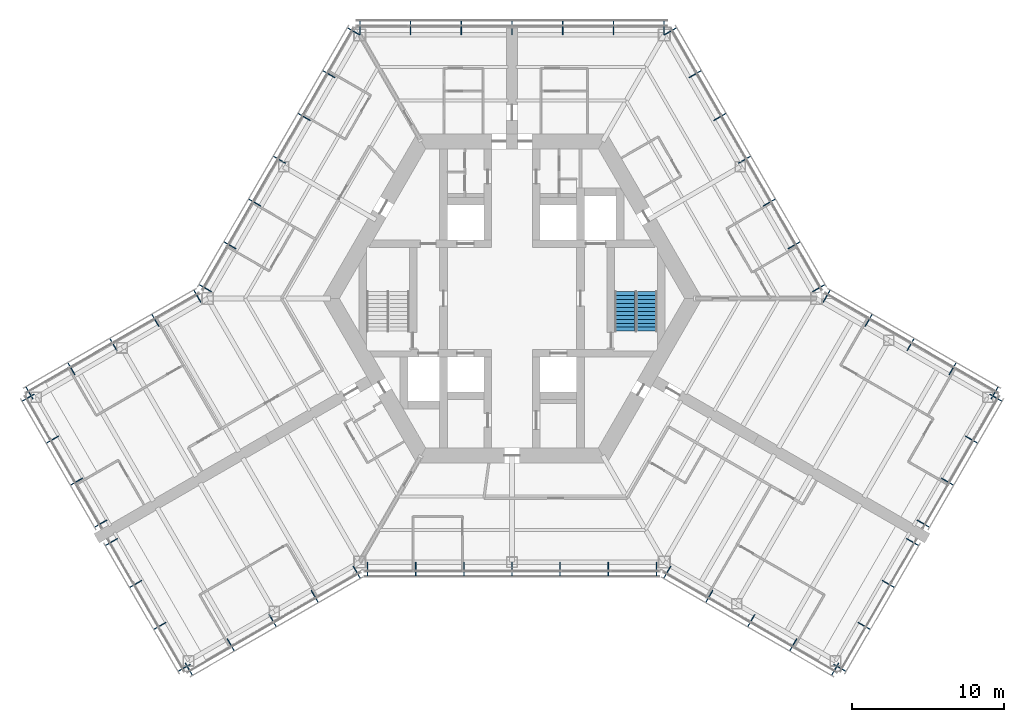
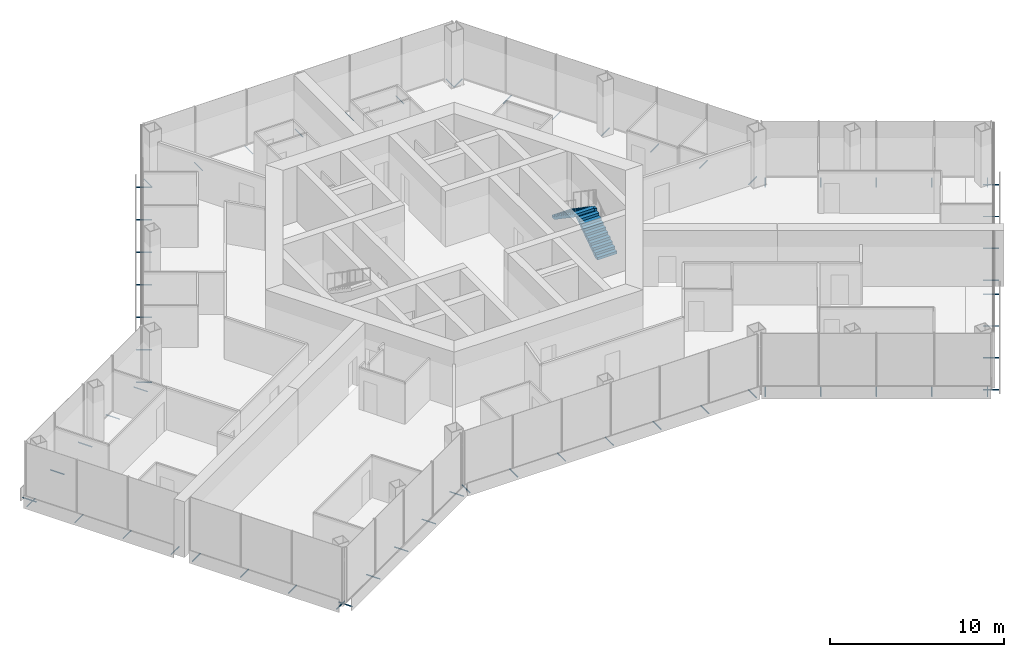
# One storey, part 16 of 18: 64 discrete accessories, 2 stair flights, 1 element without a shape of its own.
"""IFC4 building model written with IfcOpenShell, lengths in metres."""

from ifc_helpers import new_model, si_unit, direction, frame, origin, origin_2d, place, context, subcontext, project, spatial, polyline, hollow_circle, outline, extrude, material, material_profile, profile_set, type_object, element, aggregate, save


model = new_model("IFC4")

# Units and contexts
model_context = context("Model", 3, precision=1e-05, world=origin(), true_north=direction((0.0, 1.0)))
body_context = subcontext(model_context, "Body", "Model", "MODEL_VIEW")
ifc_project = project(units=[si_unit("LENGTHUNIT", "METRE"), si_unit("AREAUNIT", "SQUARE_METRE"), si_unit("VOLUMEUNIT", "CUBIC_METRE"), si_unit("PLANEANGLEUNIT", "RADIAN"), si_unit("MASSUNIT", "GRAM", prefix="KILO")], contexts=[model_context])

# Site, building, storey
site_placement = place(None, origin())
site = spatial("IfcSite", under=ifc_project, at=site_placement, CompositionType="ELEMENT")
building_placement = place(site_placement, origin())
building = spatial("IfcBuilding", under=site, at=building_placement, Name="Kasaneha Research Tower", CompositionType="ELEMENT")
storey_placement = place(building_placement, frame((0.0, 0.0, 137.0)))
storey = spatial("IfcBuildingStorey", under=building, at=storey_placement, Name="L34", CompositionType="ELEMENT", Elevation=137.0)

# Stair, stair flights
ifc_material_1 = material(Name="Concrete Fc24", Category="concrete")
stair_type = type_object("IfcStairType", Name="Half-turn stair 22 risers", PredefinedType="HALF_TURN_STAIR", material=ifc_material_1)
stair_placement = place(storey_placement, origin())
stair = element("IfcStair", 1, at=stair_placement, inside=storey, type_object=stair_type, Name="Stair 1 L34", PredefinedType="HALF_TURN_STAIR")
ifc_material_2 = material(Name="Concrete Fc24", Category="concrete")
stair_flight_type = type_object("IfcStairFlightType", Name="Stair flight 11 risers 177.3", PredefinedType="STRAIGHT", material=ifc_material_2)
stair_flight_1_placement = place(storey_placement, frame((8.89990234375, -2.14990234375, 0.0), z_axis=(0.0, 0.0, 1.0), x_axis=(0.0, 1.0, 0.0)))
stair_flight_1 = element("IfcStairFlight", 2, at=stair_flight_1_placement, type_object=stair_flight_type, Name="ST1-22R flight 1", NumberOfRisers=11, NumberOfTreads=10, PredefinedType="STRAIGHT", RiserHeight=0.177272727, TreadLength=0.26, context=body_context, shape_type="SweptSolid", body=[
    extrude(outline(polyline([(0.0, 0.0), (0.0, 0.17724609375), (0.260009765625, 0.17724609375), (0.260009765625, 0.3544921875), (0.52001953125, 0.3544921875), (0.52001953125, 0.53173828125), (0.780029296875, 0.53173828125), (0.780029296875, 0.708984375), (1.0400390625, 0.708984375), (1.0400390625, 0.886474609375), (1.300048828125, 0.886474609375), (1.300048828125, 1.063720703125), (1.56005859375, 1.063720703125), (1.56005859375, 1.240966796875), (1.820068359375, 1.240966796875), (1.820068359375, 1.418212890625), (2.080078125, 1.418212890625), (2.080078125, 1.595458984375), (2.340087890625, 1.595458984375), (2.340087890625, 1.772705078125), (2.60009765625, 1.772705078125), (2.60009765625, 1.949951171875), (2.60009765625, 1.59130859375), (0.26611328125, 0.0), (0.0, 0.0)])), frame((0.0, 0.64990234375, 0.0), z_axis=(0.0, -1.0, 0.0), x_axis=(1.0, 0.0, 0.0)), (0.0, 0.0, 1.0), 1.300048828125),
])
stair_flight_2_placement = place(storey_placement, frame((7.39990234375, 0.449951171875, 1.949951171875), z_axis=(0.0, 0.0, 1.0), x_axis=(0.0, -1.0, 0.0)))
stair_flight_2 = element("IfcStairFlight", 3, at=stair_flight_2_placement, type_object=stair_flight_type, Name="ST1-22R flight 2", NumberOfRisers=11, NumberOfTreads=10, PredefinedType="STRAIGHT", RiserHeight=0.177272727, TreadLength=0.26, context=body_context, shape_type="SweptSolid", body=[
    extrude(outline(polyline([(0.0, 0.0), (0.0, 0.17724609375), (0.260009765625, 0.17724609375), (0.260009765625, 0.3544921875), (0.52001953125, 0.3544921875), (0.52001953125, 0.53173828125), (0.780029296875, 0.53173828125), (0.780029296875, 0.708984375), (1.0400390625, 0.708984375), (1.0400390625, 0.886474609375), (1.300048828125, 0.886474609375), (1.300048828125, 1.063720703125), (1.56005859375, 1.063720703125), (1.56005859375, 1.240966796875), (1.820068359375, 1.240966796875), (1.820068359375, 1.418212890625), (2.080078125, 1.418212890625), (2.080078125, 1.595458984375), (2.340087890625, 1.595458984375), (2.340087890625, 1.772705078125), (2.60009765625, 1.772705078125), (2.60009765625, 1.949951171875), (2.60009765625, 1.59130859375), (0.26611328125, 0.0), (0.0, 0.0)])), frame((0.0, 0.64990234375, 0.0), z_axis=(0.0, -1.0, 0.0), x_axis=(1.0, 0.0, 0.0)), (0.0, 0.0, 1.0), 1.300048828125),
])
aggregate(stair, [stair_flight_1, stair_flight_2])

# Discrete accessories
ifc_material_3 = material(Name="Steel STK400", Category="steel")
ifc_material_profile = material_profile(ifc_material_3, hollow_circle(Radius=0.0380859375, WallThickness=0.00390625, at=origin_2d()), Name="CHS-76.3x4.0")
ifc_profile_set = profile_set([ifc_material_profile], Name="Steel STK400")
discrete_accessory_type = type_object("IfcDiscreteAccessoryType", Name="Screen bracket CHS-76.3x4.0", PredefinedType="BRACKET", material=ifc_profile_set)
for number, where, z_axis, x_axis, name in (
    (4, (-9.4892578125, -17.320556640625, -0.300048828125), (0.0, -1.0, 0.0), (1.0, 0.0, 0.0), "Screen bracket 1"),
    (5, (-6.326171875, -17.320556640625, -0.300048828125), (0.0, -1.0, 0.0), (1.0, 0.0, 0.0), "Screen bracket 2"),
    (6, (-3.1630859375, -17.320556640625, -0.300048828125), (0.0, -1.0, 0.0), (1.0, 0.0, 0.0), "Screen bracket 3"),
    (7, (0.0, -17.320556640625, -0.300048828125), (0.0, -1.0, 0.0), (1.0, 0.0, 0.0), "Screen bracket 4"),
    (8, (3.1630859375, -17.320556640625, -0.300048828125), (0.0, -1.0, 0.0), (1.0, 0.0, 0.0), "Screen bracket 5"),
    (9, (6.326171875, -17.320556640625, -0.300048828125), (0.0, -1.0, 0.0), (1.0, 0.0, 0.0), "Screen bracket 6"),
    (10, (9.4892578125, -17.320556640625, -0.300048828125), (0.0, -1.0, 0.0), (1.0, 0.0, 0.0), "Screen bracket 7"),
    (11, (10.4423828125, -17.575927734375, -0.300048828125), (-0.500021113727, -0.866013213425, 0.0), (0.866013213425, -0.500021113727, 0.0), "Screen bracket 1"),
):
    element("IfcDiscreteAccessory", number, at=place(storey_placement, frame(where, z_axis=z_axis, x_axis=x_axis)), inside=storey, type_object=discrete_accessory_type, Name=name, PredefinedType="BRACKET", context=body_context, shape_type="SweptSolid", body=[
        extrude(hollow_circle(Radius=0.0380859375, WallThickness=0.00390625, at=origin_2d()), origin(), (0.0, 0.0, 1.0), 0.919921875),
    ])
discrete_accessory_1_placement = place(storey_placement, frame((13.200439453125, -19.168212890625, -0.300048828125), z_axis=(-0.499906209203, -0.866079547155, 0.0), x_axis=(0.866079547155, -0.499906209203, 0.0)))
element("IfcDiscreteAccessory", 12, at=discrete_accessory_1_placement, inside=storey, type_object=discrete_accessory_type, Name="Screen bracket 2", PredefinedType="BRACKET", context=body_context, shape_type="SweptSolid", body=[
    extrude(hollow_circle(Radius=0.0380859375, WallThickness=0.00390625, at=origin_2d()), origin(), (0.0, 0.0, 1.0), 0.920166015625),
])
discrete_accessory_2_placement = place(storey_placement, frame((15.95849609375, -20.7607421875, -0.300048828125), z_axis=(-0.500021113727, -0.866013213425, 0.0), x_axis=(0.866013213425, -0.500021113727, 0.0)))
element("IfcDiscreteAccessory", 13, at=discrete_accessory_2_placement, inside=storey, type_object=discrete_accessory_type, Name="Screen bracket 3", PredefinedType="BRACKET", context=body_context, shape_type="SweptSolid", body=[
    extrude(hollow_circle(Radius=0.0380859375, WallThickness=0.00390625, at=origin_2d()), origin(), (0.0, 0.0, 1.0), 0.919921875),
])
discrete_accessory_3_placement = place(storey_placement, frame((18.716796875, -22.35302734375, -0.300048828125), z_axis=(-0.500105201737, -0.865964657013, 0.0), x_axis=(0.865964657013, -0.500105201737, 0.0)))
element("IfcDiscreteAccessory", 14, at=discrete_accessory_3_placement, inside=storey, type_object=discrete_accessory_type, Name="Screen bracket 4", PredefinedType="BRACKET", context=body_context, shape_type="SweptSolid", body=[
    extrude(hollow_circle(Radius=0.0380859375, WallThickness=0.00390625, at=origin_2d()), origin(), (0.0, 0.0, 1.0), 0.920166015625),
])
discrete_accessory_4_placement = place(storey_placement, frame((21.474853515625, -23.945556640625, -0.300048828125), z_axis=(-0.500021113727, -0.866013213425, 0.0), x_axis=(0.866013213425, -0.500021113727, 0.0)))
element("IfcDiscreteAccessory", 15, at=discrete_accessory_4_placement, inside=storey, type_object=discrete_accessory_type, Name="Screen bracket 5", PredefinedType="BRACKET", context=body_context, shape_type="SweptSolid", body=[
    extrude(hollow_circle(Radius=0.0380859375, WallThickness=0.00390625, at=origin_2d()), origin(), (0.0, 0.0, 1.0), 0.919921875),
])
discrete_accessory_5_placement = place(storey_placement, frame((21.13330078125, -24.037109375, -0.300048828125), z_axis=(0.866079547155, -0.499906209203, 0.0), x_axis=(0.499906209203, 0.866079547155, 0.0)))
element("IfcDiscreteAccessory", 16, at=discrete_accessory_5_placement, inside=storey, type_object=discrete_accessory_type, Name="Screen bracket 1", PredefinedType="BRACKET", context=body_context, shape_type="SweptSolid", body=[
    extrude(hollow_circle(Radius=0.0380859375, WallThickness=0.00390625, at=origin_2d()), origin(), (0.0, 0.0, 1.0), 0.920166015625),
])
discrete_accessory_6_placement = place(storey_placement, frame((22.72509765625, -21.2802734375, -0.300048828125), z_axis=(0.866013213425, -0.500021113727, 0.0), x_axis=(0.500021113727, 0.866013213425, 0.0)))
element("IfcDiscreteAccessory", 17, at=discrete_accessory_6_placement, inside=storey, type_object=discrete_accessory_type, Name="Screen bracket 2", PredefinedType="BRACKET", context=body_context, shape_type="SweptSolid", body=[
    extrude(hollow_circle(Radius=0.0380859375, WallThickness=0.00390625, at=origin_2d()), origin(), (0.0, 0.0, 1.0), 0.919921875),
])
discrete_accessory_7_placement = place(storey_placement, frame((24.316650390625, -18.5234375, -0.300048828125), z_axis=(0.866079547155, -0.499906209203, 0.0), x_axis=(0.499906209203, 0.866079547155, 0.0)))
element("IfcDiscreteAccessory", 18, at=discrete_accessory_7_placement, inside=storey, type_object=discrete_accessory_type, Name="Screen bracket 3", PredefinedType="BRACKET", context=body_context, shape_type="SweptSolid", body=[
    extrude(hollow_circle(Radius=0.0380859375, WallThickness=0.00390625, at=origin_2d()), origin(), (0.0, 0.0, 1.0), 0.920166015625),
])
for number, where, z_axis, x_axis, name in (
    (19, (25.908447265625, -15.766357421875, -0.300048828125), (0.865898279276, -0.500220121494, 0.0), (0.500220121494, 0.865898279276, 0.0), "Screen bracket 4"),
    (20, (26.6083984375, -14.553955078125, -0.300048828125), (0.866013213425, -0.500021113727, 0.0), (0.500021113727, 0.866013213425, 0.0), "Screen bracket 1"),
):
    element("IfcDiscreteAccessory", number, at=place(storey_placement, frame(where, z_axis=z_axis, x_axis=x_axis)), inside=storey, type_object=discrete_accessory_type, Name=name, PredefinedType="BRACKET", context=body_context, shape_type="SweptSolid", body=[
        extrude(hollow_circle(Radius=0.0380859375, WallThickness=0.00390625, at=origin_2d()), origin(), (0.0, 0.0, 1.0), 0.919921875),
    ])
discrete_accessory_8_placement = place(storey_placement, frame((28.199951171875, -11.797119140625, -0.300048828125), z_axis=(0.866079547155, -0.499906209203, 0.0), x_axis=(0.499906209203, 0.866079547155, 0.0)))
element("IfcDiscreteAccessory", 21, at=discrete_accessory_8_placement, inside=storey, type_object=discrete_accessory_type, Name="Screen bracket 2", PredefinedType="BRACKET", context=body_context, shape_type="SweptSolid", body=[
    extrude(hollow_circle(Radius=0.0380859375, WallThickness=0.00390625, at=origin_2d()), origin(), (0.0, 0.0, 1.0), 0.920166015625),
])
discrete_accessory_9_placement = place(storey_placement, frame((29.791748046875, -9.040283203125, -0.300048828125), z_axis=(0.866013213425, -0.500021113727, 0.0), x_axis=(0.500021113727, 0.866013213425, 0.0)))
element("IfcDiscreteAccessory", 22, at=discrete_accessory_9_placement, inside=storey, type_object=discrete_accessory_type, Name="Screen bracket 3", PredefinedType="BRACKET", context=body_context, shape_type="SweptSolid", body=[
    extrude(hollow_circle(Radius=0.0380859375, WallThickness=0.00390625, at=origin_2d()), origin(), (0.0, 0.0, 1.0), 0.919921875),
])
discrete_accessory_10_placement = place(storey_placement, frame((31.38330078125, -6.283447265625, -0.300048828125), z_axis=(0.866079547155, -0.499906209203, 0.0), x_axis=(0.499906209203, 0.866079547155, 0.0)))
element("IfcDiscreteAccessory", 23, at=discrete_accessory_10_placement, inside=storey, type_object=discrete_accessory_type, Name="Screen bracket 4", PredefinedType="BRACKET", context=body_context, shape_type="SweptSolid", body=[
    extrude(hollow_circle(Radius=0.0380859375, WallThickness=0.00390625, at=origin_2d()), origin(), (0.0, 0.0, 1.0), 0.920166015625),
])
discrete_accessory_11_placement = place(storey_placement, frame((31.474853515625, -6.625, -0.300048828125), z_axis=(0.500021113727, 0.866013213425, 0.0), x_axis=(-0.866013213425, 0.500021113727, 0.0)))
element("IfcDiscreteAccessory", 24, at=discrete_accessory_11_placement, inside=storey, type_object=discrete_accessory_type, Name="Screen bracket 1", PredefinedType="BRACKET", context=body_context, shape_type="SweptSolid", body=[
    extrude(hollow_circle(Radius=0.0380859375, WallThickness=0.00390625, at=origin_2d()), origin(), (0.0, 0.0, 1.0), 0.919921875),
])
discrete_accessory_12_placement = place(storey_placement, frame((28.716796875, -5.03271484375, -0.300048828125), z_axis=(0.499906209203, 0.866079547155, 0.0), x_axis=(-0.866079547155, 0.499906209203, 0.0)))
element("IfcDiscreteAccessory", 25, at=discrete_accessory_12_placement, inside=storey, type_object=discrete_accessory_type, Name="Screen bracket 2", PredefinedType="BRACKET", context=body_context, shape_type="SweptSolid", body=[
    extrude(hollow_circle(Radius=0.0380859375, WallThickness=0.00390625, at=origin_2d()), origin(), (0.0, 0.0, 1.0), 0.920166015625),
])
discrete_accessory_13_placement = place(storey_placement, frame((25.95849609375, -3.440185546875, -0.300048828125), z_axis=(0.500220121494, 0.865898279276, 0.0), x_axis=(-0.865898279276, 0.500220121494, 0.0)))
element("IfcDiscreteAccessory", 26, at=discrete_accessory_13_placement, inside=storey, type_object=discrete_accessory_type, Name="Screen bracket 3", PredefinedType="BRACKET", context=body_context, shape_type="SweptSolid", body=[
    extrude(hollow_circle(Radius=0.0380859375, WallThickness=0.00390625, at=origin_2d()), origin(), (0.0, 0.0, 1.0), 0.919921875),
])
discrete_accessory_14_placement = place(storey_placement, frame((23.200439453125, -1.847900390625, -0.300048828125), z_axis=(0.499906209203, 0.866079547155, 0.0), x_axis=(-0.866079547155, 0.499906209203, 0.0)))
element("IfcDiscreteAccessory", 27, at=discrete_accessory_14_placement, inside=storey, type_object=discrete_accessory_type, Name="Screen bracket 4", PredefinedType="BRACKET", context=body_context, shape_type="SweptSolid", body=[
    extrude(hollow_circle(Radius=0.0380859375, WallThickness=0.00390625, at=origin_2d()), origin(), (0.0, 0.0, 1.0), 0.920166015625),
])
for number, where, z_axis, x_axis, name in (
    (28, (20.4423828125, -0.25537109375, -0.300048828125), (0.500021113727, 0.866013213425, 0.0), (-0.866013213425, 0.500021113727, 0.0), "Screen bracket 5"),
    (29, (19.74462890625, 0.4423828125, -0.300048828125), (0.866013213425, 0.500021113727, 0.0), (-0.500021113727, 0.866013213425, 0.0), "Screen bracket 1"),
    (30, (18.120849609375, 3.2548828125, -0.300048828125), (0.866013213425, 0.500021113727, 0.0), (-0.500021113727, 0.866013213425, 0.0), "Screen bracket 2"),
    (31, (16.4970703125, 6.0673828125, -0.300048828125), (0.866013213425, 0.500021113727, 0.0), (-0.500021113727, 0.866013213425, 0.0), "Screen bracket 3"),
    (32, (14.873291015625, 8.8798828125, -0.300048828125), (0.866013213425, 0.500021113727, 0.0), (-0.500021113727, 0.866013213425, 0.0), "Screen bracket 4"),
    (33, (13.24951171875, 11.6923828125, -0.300048828125), (0.866013213425, 0.500021113727, 0.0), (-0.500021113727, 0.866013213425, 0.0), "Screen bracket 5"),
):
    element("IfcDiscreteAccessory", number, at=place(storey_placement, frame(where, z_axis=z_axis, x_axis=x_axis)), inside=storey, type_object=discrete_accessory_type, Name=name, PredefinedType="BRACKET", context=body_context, shape_type="SweptSolid", body=[
        extrude(hollow_circle(Radius=0.0380859375, WallThickness=0.00390625, at=origin_2d()), origin(), (0.0, 0.0, 1.0), 0.919921875),
    ])
for number, where, z_axis, x_axis, name in (
    (34, (11.62548828125, 14.5048828125, -0.300048828125), (0.866079547155, 0.499906209203, 0.0), (-0.499906209203, 0.866079547155, 0.0), "Screen bracket 6"),
    (35, (10.001708984375, 17.3173828125, -0.300048828125), (0.866079547155, 0.499906209203, 0.0), (-0.499906209203, 0.866079547155, 0.0), "Screen bracket 7"),
):
    element("IfcDiscreteAccessory", number, at=place(storey_placement, frame(where, z_axis=z_axis, x_axis=x_axis)), inside=storey, type_object=discrete_accessory_type, Name=name, PredefinedType="BRACKET", context=body_context, shape_type="SweptSolid", body=[
        extrude(hollow_circle(Radius=0.0380859375, WallThickness=0.00390625, at=origin_2d()), origin(), (0.0, 0.0, 1.0), 0.920166015625),
    ])
for number, where, z_axis, x_axis, name in (
    (36, (9.996337890625, 17.320556640625, -0.300048828125), (0.0, 1.0, 0.0), (-1.0, 0.0, 0.0), "Screen bracket 1"),
    (37, (6.664306640625, 17.320556640625, -0.300048828125), (0.0, 1.0, 0.0), (-1.0, 0.0, 0.0), "Screen bracket 2"),
    (38, (3.33203125, 17.320556640625, -0.300048828125), (0.0, 1.0, 0.0), (-1.0, 0.0, 0.0), "Screen bracket 3"),
    (39, (0.0, 17.320556640625, -0.300048828125), (0.0, 1.0, 0.0), (-1.0, 0.0, 0.0), "Screen bracket 4"),
    (40, (-3.33203125, 17.320556640625, -0.300048828125), (0.0, 1.0, 0.0), (-1.0, 0.0, 0.0), "Screen bracket 5"),
    (41, (-6.664306640625, 17.320556640625, -0.300048828125), (0.0, 1.0, 0.0), (-1.0, 0.0, 0.0), "Screen bracket 6"),
    (42, (-9.996337890625, 17.320556640625, -0.300048828125), (0.0, 1.0, 0.0), (-1.0, 0.0, 0.0), "Screen bracket 7"),
):
    element("IfcDiscreteAccessory", number, at=place(storey_placement, frame(where, z_axis=z_axis, x_axis=x_axis)), inside=storey, type_object=discrete_accessory_type, Name=name, PredefinedType="BRACKET", context=body_context, shape_type="SweptSolid", body=[
        extrude(hollow_circle(Radius=0.0380859375, WallThickness=0.00390625, at=origin_2d()), origin(), (0.0, 0.0, 1.0), 0.919921875),
    ])
for number, where, z_axis, x_axis, name in (
    (43, (-10.001708984375, 17.3173828125, -0.300048828125), (-0.866079547155, 0.499906209203, 0.0), (-0.499906209203, -0.866079547155, 0.0), "Screen bracket 1"),
    (44, (-11.62548828125, 14.5048828125, -0.300048828125), (-0.866079547155, 0.499906209203, 0.0), (-0.499906209203, -0.866079547155, 0.0), "Screen bracket 2"),
):
    element("IfcDiscreteAccessory", number, at=place(storey_placement, frame(where, z_axis=z_axis, x_axis=x_axis)), inside=storey, type_object=discrete_accessory_type, Name=name, PredefinedType="BRACKET", context=body_context, shape_type="SweptSolid", body=[
        extrude(hollow_circle(Radius=0.0380859375, WallThickness=0.00390625, at=origin_2d()), origin(), (0.0, 0.0, 1.0), 0.920166015625),
    ])
for number, where, z_axis, x_axis, name in (
    (45, (-13.24951171875, 11.6923828125, -0.300048828125), (-0.866013213425, 0.500021113727, 0.0), (-0.500021113727, -0.866013213425, 0.0), "Screen bracket 3"),
    (46, (-14.873291015625, 8.8798828125, -0.300048828125), (-0.866013213425, 0.500021113727, 0.0), (-0.500021113727, -0.866013213425, 0.0), "Screen bracket 4"),
    (47, (-16.4970703125, 6.0673828125, -0.300048828125), (-0.866013213425, 0.500021113727, 0.0), (-0.500021113727, -0.866013213425, 0.0), "Screen bracket 5"),
    (48, (-18.120849609375, 3.2548828125, -0.300048828125), (-0.866013213425, 0.500021113727, 0.0), (-0.500021113727, -0.866013213425, 0.0), "Screen bracket 6"),
    (49, (-19.74462890625, 0.4423828125, -0.300048828125), (-0.866013213425, 0.500021113727, 0.0), (-0.500021113727, -0.866013213425, 0.0), "Screen bracket 7"),
    (50, (-20.4423828125, -0.25537109375, -0.300048828125), (-0.500021113727, 0.866013213425, 0.0), (-0.866013213425, -0.500021113727, 0.0), "Screen bracket 1"),
):
    element("IfcDiscreteAccessory", number, at=place(storey_placement, frame(where, z_axis=z_axis, x_axis=x_axis)), inside=storey, type_object=discrete_accessory_type, Name=name, PredefinedType="BRACKET", context=body_context, shape_type="SweptSolid", body=[
        extrude(hollow_circle(Radius=0.0380859375, WallThickness=0.00390625, at=origin_2d()), origin(), (0.0, 0.0, 1.0), 0.919921875),
    ])
discrete_accessory_15_placement = place(storey_placement, frame((-23.200439453125, -1.847900390625, -0.300048828125), z_axis=(-0.499906209203, 0.866079547155, 0.0), x_axis=(-0.866079547155, -0.499906209203, 0.0)))
element("IfcDiscreteAccessory", 51, at=discrete_accessory_15_placement, inside=storey, type_object=discrete_accessory_type, Name="Screen bracket 2", PredefinedType="BRACKET", context=body_context, shape_type="SweptSolid", body=[
    extrude(hollow_circle(Radius=0.0380859375, WallThickness=0.00390625, at=origin_2d()), origin(), (0.0, 0.0, 1.0), 0.920166015625),
])
discrete_accessory_16_placement = place(storey_placement, frame((-25.95849609375, -3.440185546875, -0.300048828125), z_axis=(-0.500220121494, 0.865898279276, 0.0), x_axis=(-0.865898279276, -0.500220121494, 0.0)))
element("IfcDiscreteAccessory", 52, at=discrete_accessory_16_placement, inside=storey, type_object=discrete_accessory_type, Name="Screen bracket 3", PredefinedType="BRACKET", context=body_context, shape_type="SweptSolid", body=[
    extrude(hollow_circle(Radius=0.0380859375, WallThickness=0.00390625, at=origin_2d()), origin(), (0.0, 0.0, 1.0), 0.919921875),
])
discrete_accessory_17_placement = place(storey_placement, frame((-28.716796875, -5.03271484375, -0.300048828125), z_axis=(-0.499906209203, 0.866079547155, 0.0), x_axis=(-0.866079547155, -0.499906209203, 0.0)))
element("IfcDiscreteAccessory", 53, at=discrete_accessory_17_placement, inside=storey, type_object=discrete_accessory_type, Name="Screen bracket 4", PredefinedType="BRACKET", context=body_context, shape_type="SweptSolid", body=[
    extrude(hollow_circle(Radius=0.0380859375, WallThickness=0.00390625, at=origin_2d()), origin(), (0.0, 0.0, 1.0), 0.920166015625),
])
discrete_accessory_18_placement = place(storey_placement, frame((-31.474853515625, -6.625, -0.300048828125), z_axis=(-0.500021113727, 0.866013213425, 0.0), x_axis=(-0.866013213425, -0.500021113727, 0.0)))
element("IfcDiscreteAccessory", 54, at=discrete_accessory_18_placement, inside=storey, type_object=discrete_accessory_type, Name="Screen bracket 5", PredefinedType="BRACKET", context=body_context, shape_type="SweptSolid", body=[
    extrude(hollow_circle(Radius=0.0380859375, WallThickness=0.00390625, at=origin_2d()), origin(), (0.0, 0.0, 1.0), 0.919921875),
])
discrete_accessory_19_placement = place(storey_placement, frame((-31.38330078125, -6.283447265625, -0.300048828125), z_axis=(-0.866079547155, -0.499906209203, 0.0), x_axis=(0.499906209203, -0.866079547155, 0.0)))
element("IfcDiscreteAccessory", 55, at=discrete_accessory_19_placement, inside=storey, type_object=discrete_accessory_type, Name="Screen bracket 1", PredefinedType="BRACKET", context=body_context, shape_type="SweptSolid", body=[
    extrude(hollow_circle(Radius=0.0380859375, WallThickness=0.00390625, at=origin_2d()), origin(), (0.0, 0.0, 1.0), 0.920166015625),
])
discrete_accessory_20_placement = place(storey_placement, frame((-29.791748046875, -9.040283203125, -0.300048828125), z_axis=(-0.866013213425, -0.500021113727, 0.0), x_axis=(0.500021113727, -0.866013213425, 0.0)))
element("IfcDiscreteAccessory", 56, at=discrete_accessory_20_placement, inside=storey, type_object=discrete_accessory_type, Name="Screen bracket 2", PredefinedType="BRACKET", context=body_context, shape_type="SweptSolid", body=[
    extrude(hollow_circle(Radius=0.0380859375, WallThickness=0.00390625, at=origin_2d()), origin(), (0.0, 0.0, 1.0), 0.919921875),
])
discrete_accessory_21_placement = place(storey_placement, frame((-28.199951171875, -11.797119140625, -0.300048828125), z_axis=(-0.866079547155, -0.499906209203, 0.0), x_axis=(0.499906209203, -0.866079547155, 0.0)))
element("IfcDiscreteAccessory", 57, at=discrete_accessory_21_placement, inside=storey, type_object=discrete_accessory_type, Name="Screen bracket 3", PredefinedType="BRACKET", context=body_context, shape_type="SweptSolid", body=[
    extrude(hollow_circle(Radius=0.0380859375, WallThickness=0.00390625, at=origin_2d()), origin(), (0.0, 0.0, 1.0), 0.920166015625),
])
for number, where, z_axis, x_axis, name in (
    (58, (-26.6083984375, -14.553955078125, -0.300048828125), (-0.866013213425, -0.500021113727, 0.0), (0.500021113727, -0.866013213425, 0.0), "Screen bracket 4"),
    (59, (-25.908447265625, -15.766357421875, -0.300048828125), (-0.865898279276, -0.500220121494, 0.0), (0.500220121494, -0.865898279276, 0.0), "Screen bracket 1"),
):
    element("IfcDiscreteAccessory", number, at=place(storey_placement, frame(where, z_axis=z_axis, x_axis=x_axis)), inside=storey, type_object=discrete_accessory_type, Name=name, PredefinedType="BRACKET", context=body_context, shape_type="SweptSolid", body=[
        extrude(hollow_circle(Radius=0.0380859375, WallThickness=0.00390625, at=origin_2d()), origin(), (0.0, 0.0, 1.0), 0.919921875),
    ])
discrete_accessory_22_placement = place(storey_placement, frame((-24.316650390625, -18.5234375, -0.300048828125), z_axis=(-0.866079547155, -0.499906209203, 0.0), x_axis=(0.499906209203, -0.866079547155, 0.0)))
element("IfcDiscreteAccessory", 60, at=discrete_accessory_22_placement, inside=storey, type_object=discrete_accessory_type, Name="Screen bracket 2", PredefinedType="BRACKET", context=body_context, shape_type="SweptSolid", body=[
    extrude(hollow_circle(Radius=0.0380859375, WallThickness=0.00390625, at=origin_2d()), origin(), (0.0, 0.0, 1.0), 0.920166015625),
])
discrete_accessory_23_placement = place(storey_placement, frame((-22.72509765625, -21.2802734375, -0.300048828125), z_axis=(-0.866013213425, -0.500021113727, 0.0), x_axis=(0.500021113727, -0.866013213425, 0.0)))
element("IfcDiscreteAccessory", 61, at=discrete_accessory_23_placement, inside=storey, type_object=discrete_accessory_type, Name="Screen bracket 3", PredefinedType="BRACKET", context=body_context, shape_type="SweptSolid", body=[
    extrude(hollow_circle(Radius=0.0380859375, WallThickness=0.00390625, at=origin_2d()), origin(), (0.0, 0.0, 1.0), 0.919921875),
])
discrete_accessory_24_placement = place(storey_placement, frame((-21.13330078125, -24.037109375, -0.300048828125), z_axis=(-0.866079547155, -0.499906209203, 0.0), x_axis=(0.499906209203, -0.866079547155, 0.0)))
element("IfcDiscreteAccessory", 62, at=discrete_accessory_24_placement, inside=storey, type_object=discrete_accessory_type, Name="Screen bracket 4", PredefinedType="BRACKET", context=body_context, shape_type="SweptSolid", body=[
    extrude(hollow_circle(Radius=0.0380859375, WallThickness=0.00390625, at=origin_2d()), origin(), (0.0, 0.0, 1.0), 0.920166015625),
])
discrete_accessory_25_placement = place(storey_placement, frame((-21.474853515625, -23.945556640625, -0.300048828125), z_axis=(0.500021113727, -0.866013213425, 0.0), x_axis=(0.866013213425, 0.500021113727, 0.0)))
element("IfcDiscreteAccessory", 63, at=discrete_accessory_25_placement, inside=storey, type_object=discrete_accessory_type, Name="Screen bracket 1", PredefinedType="BRACKET", context=body_context, shape_type="SweptSolid", body=[
    extrude(hollow_circle(Radius=0.0380859375, WallThickness=0.00390625, at=origin_2d()), origin(), (0.0, 0.0, 1.0), 0.919921875),
])
discrete_accessory_26_placement = place(storey_placement, frame((-18.716796875, -22.35302734375, -0.300048828125), z_axis=(0.500105201737, -0.865964657013, 0.0), x_axis=(0.865964657013, 0.500105201737, 0.0)))
element("IfcDiscreteAccessory", 64, at=discrete_accessory_26_placement, inside=storey, type_object=discrete_accessory_type, Name="Screen bracket 2", PredefinedType="BRACKET", context=body_context, shape_type="SweptSolid", body=[
    extrude(hollow_circle(Radius=0.0380859375, WallThickness=0.00390625, at=origin_2d()), origin(), (0.0, 0.0, 1.0), 0.920166015625),
])
discrete_accessory_27_placement = place(storey_placement, frame((-15.95849609375, -20.7607421875, -0.300048828125), z_axis=(0.500021113727, -0.866013213425, 0.0), x_axis=(0.866013213425, 0.500021113727, 0.0)))
element("IfcDiscreteAccessory", 65, at=discrete_accessory_27_placement, inside=storey, type_object=discrete_accessory_type, Name="Screen bracket 3", PredefinedType="BRACKET", context=body_context, shape_type="SweptSolid", body=[
    extrude(hollow_circle(Radius=0.0380859375, WallThickness=0.00390625, at=origin_2d()), origin(), (0.0, 0.0, 1.0), 0.919921875),
])
discrete_accessory_28_placement = place(storey_placement, frame((-13.200439453125, -19.168212890625, -0.300048828125), z_axis=(0.499906209203, -0.866079547155, 0.0), x_axis=(0.866079547155, 0.499906209203, 0.0)))
element("IfcDiscreteAccessory", 66, at=discrete_accessory_28_placement, inside=storey, type_object=discrete_accessory_type, Name="Screen bracket 4", PredefinedType="BRACKET", context=body_context, shape_type="SweptSolid", body=[
    extrude(hollow_circle(Radius=0.0380859375, WallThickness=0.00390625, at=origin_2d()), origin(), (0.0, 0.0, 1.0), 0.920166015625),
])
discrete_accessory_29_placement = place(storey_placement, frame((-10.4423828125, -17.575927734375, -0.300048828125), z_axis=(0.500021113727, -0.866013213425, 0.0), x_axis=(0.866013213425, 0.500021113727, 0.0)))
element("IfcDiscreteAccessory", 67, at=discrete_accessory_29_placement, inside=storey, type_object=discrete_accessory_type, Name="Screen bracket 5", PredefinedType="BRACKET", context=body_context, shape_type="SweptSolid", body=[
    extrude(hollow_circle(Radius=0.0380859375, WallThickness=0.00390625, at=origin_2d()), origin(), (0.0, 0.0, 1.0), 0.919921875),
])

save(model, "model.ifc")
